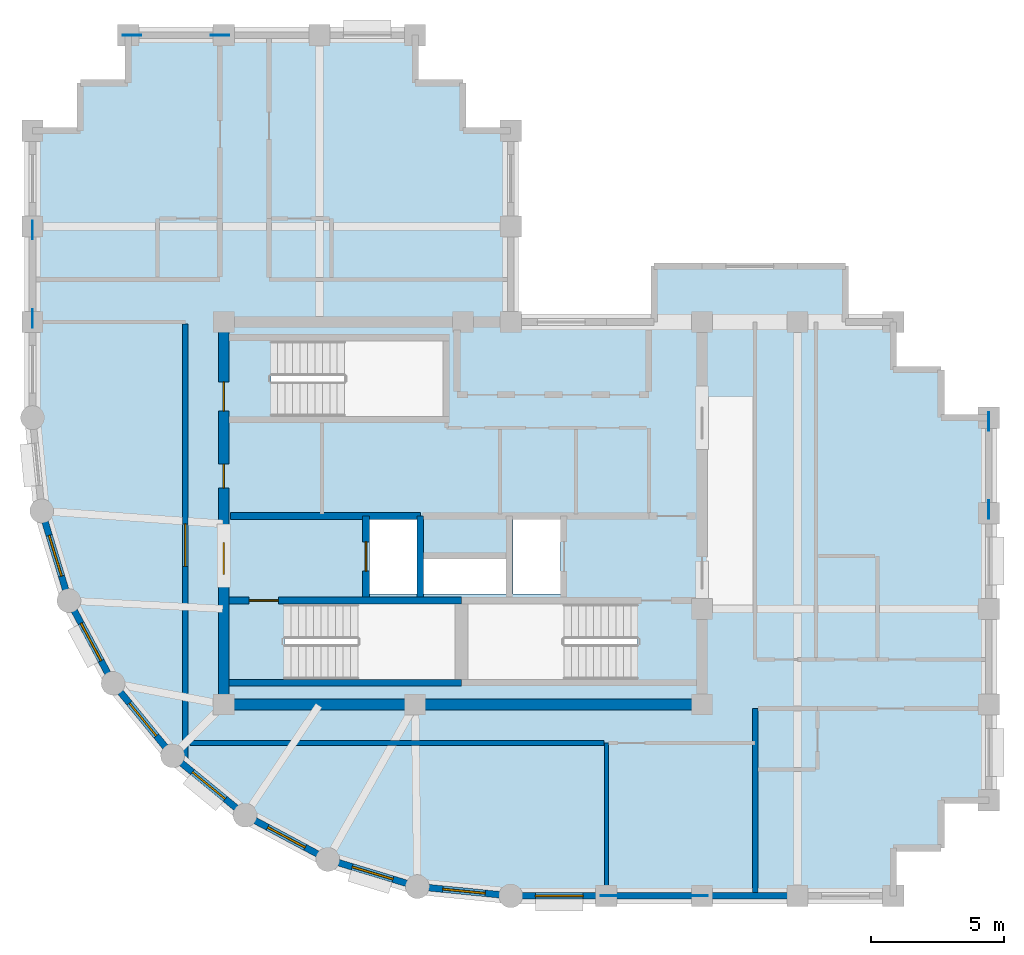
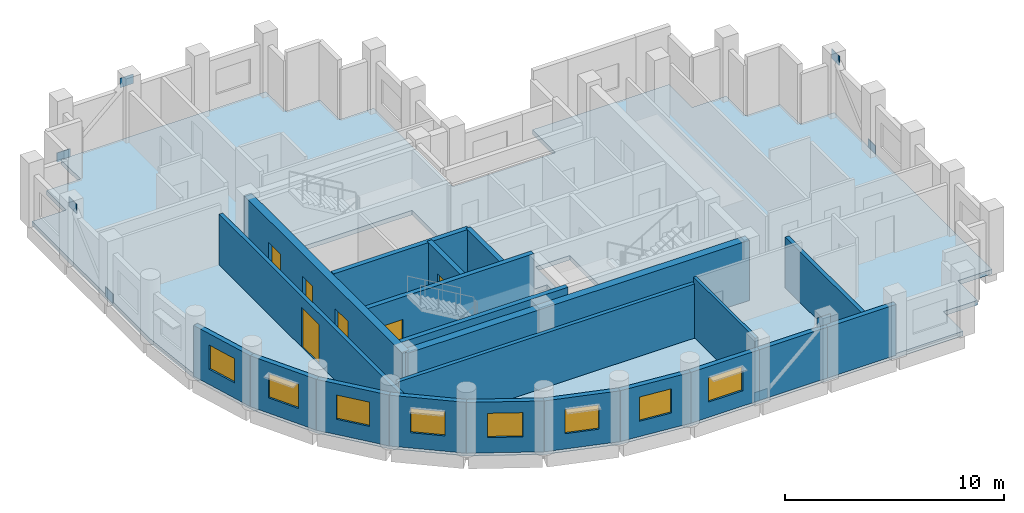
# One storey, part 2 of 7: 21 walls, 8 plates, 8 windows, 6 doors, 1 slab, 14 openings.
"""IFC4 building model written with IfcOpenShell, lengths in metres."""

from ifc_helpers import new_model, si_unit, direction, frame, frame_2d, origin, origin_2d, place, context, subcontext, project, spatial, polyline, rectangle, outline, extrude, material, layer, layer_set, type_object, element, fill, save


model = new_model("IFC4")

# Units and contexts
model_context = context("Model", 3, precision=1e-05, world=origin(), true_north=direction((0.0, 1.0)))
body_context = subcontext(model_context, "Body", "Model", "MODEL_VIEW")
ifc_project = project(units=[si_unit("LENGTHUNIT", "METRE"), si_unit("AREAUNIT", "SQUARE_METRE"), si_unit("VOLUMEUNIT", "CUBIC_METRE"), si_unit("PLANEANGLEUNIT", "RADIAN"), si_unit("MASSUNIT", "GRAM", prefix="KILO")], contexts=[model_context])

# Site, building, storey
site_placement = place(None, origin())
site = spatial("IfcSite", under=ifc_project, at=site_placement, CompositionType="ELEMENT")
building_placement = place(site_placement, origin())
building = spatial("IfcBuilding", under=site, at=building_placement, Name="Solnavia Interchange Tower", CompositionType="ELEMENT")
storey_placement = place(building_placement, frame((0.0, 0.0, 288.199951171875)))
storey = spatial("IfcBuildingStorey", under=building, at=storey_placement, Name="L73", CompositionType="ELEMENT", Elevation=288.199951171875)

# Plates
ifc_material_1 = material(Name="Steel S460", Category="steel")
ifc_layer_1 = layer(ifc_material_1, 0.030029296875)
ifc_layer_set_1 = layer_set([ifc_layer_1], Name="Steel S460")
plate_type = type_object("IfcPlateType", Name="Plate-Gusset-700x520x30", PredefinedType="USERDEFINED", material=ifc_layer_set_1)
for number, where, z_axis, x_axis, name in (
    (1, (28.93994140625, 3.60009765625, -0.080078125), (0.0, 0.0, 1.0), (1.0, 0.0, 0.0), "PLT-L73-GP01 Perimeter brace gusset plate"),
    (2, (32.260009765625, 3.60009765625, 2.91015625), (0.0, 0.0, 1.0), (1.0, 0.0, 0.0), "PLT-L73-GP02 Perimeter brace gusset plate"),
    (3, (7.199951171875, 25.340087890625, -0.080078125), (0.0, 0.0, 1.0), (0.0, 1.0, 0.0), "PLT-L73-GP03 Perimeter brace gusset plate"),
    (4, (7.199951171875, 28.659912109375, 2.91015625), (0.0, 0.0, 1.0), (0.0, 1.0, 0.0), "PLT-L73-GP04 Perimeter brace gusset plate"),
    (5, (43.199951171875, 18.139892578125, -0.080078125), (0.0, 0.0, 1.0), (0.0, 1.0, 0.0), "PLT-L73-GP05 Perimeter brace gusset plate"),
    (6, (43.199951171875, 21.4599609375, 2.91015625), (0.0, 0.0, 1.0), (0.0, 1.0, 0.0), "PLT-L73-GP06 Perimeter brace gusset plate"),
    (7, (10.93994140625, 36.0, -0.080078125), (0.0, 0.0, 1.0), (1.0, 0.0, 0.0), "PLT-L73-GP07 Perimeter brace gusset plate"),
    (8, (14.260009765625, 36.0, 2.91015625), (0.0, 0.0, 1.0), (1.0, 0.0, 0.0), "PLT-L73-GP08 Perimeter brace gusset plate"),
):
    element("IfcPlate", number, at=place(storey_placement, frame(where, z_axis=z_axis, x_axis=x_axis)), inside=storey, type_object=plate_type, Name=name, ObjectType="GUSSET PLATE", PredefinedType="USERDEFINED", context=body_context, shape_type="SweptSolid", body=[
        extrude(rectangle(XDim=0.699951171875, YDim=0.030029296875, at=origin_2d()), origin(), (0.0, 0.0, 1.0), 0.52001953125),
    ])

# Slab
ifc_material_2 = material(Name="Concrete C40/50", Category="concrete")
ifc_layer_2 = layer(ifc_material_2, 0.25)
ifc_layer_set_2 = layer_set([ifc_layer_2], Name="Concrete C40/50")
slab_type = type_object("IfcSlabType", Name="Slab-Tower-250", PredefinedType="FLOOR", material=ifc_layer_set_2)
slab_placement = place(storey_placement, frame((0.0, 0.0, -0.25)))
element("IfcSlab", 9, at=slab_placement, inside=storey, type_object=slab_type, Name="SLB-L73-01 Structural floor slab", PredefinedType="FLOOR", context=body_context, shape_type="SweptSolid", body=[
    extrude(outline(polyline([(25.199951171875, 3.60009765625), (39.60009765625, 3.60009765625), (39.60009765625, 5.39990234375), (41.39990234375, 5.39990234375), (41.39990234375, 7.199951171875), (43.199951171875, 7.199951171875), (43.199951171875, 21.60009765625), (41.39990234375, 21.60009765625), (41.39990234375, 23.39990234375), (39.60009765625, 23.39990234375), (39.60009765625, 25.199951171875), (37.800048828125, 25.199951171875), (37.800048828125, 27.300048828125), (30.60009765625, 27.300048828125), (30.60009765625, 25.199951171875), (25.199951171875, 25.199951171875), (25.199951171875, 32.39990234375), (23.39990234375, 32.39990234375), (23.39990234375, 34.199951171875), (21.60009765625, 34.199951171875), (21.60009765625, 36.0), (10.800048828125, 36.0), (10.800048828125, 34.199951171875), (9.0, 34.199951171875), (9.0, 32.39990234375), (7.199951171875, 32.39990234375), (7.199951171875, 21.60009765625), (7.5458984375, 18.087890625), (8.570068359375, 14.7119140625), (10.23388671875, 11.60009765625), (12.471923828125, 8.8720703125), (15.199951171875, 6.634033203125), (18.31201171875, 4.969970703125), (21.68798828125, 3.946044921875), (25.199951171875, 3.60009765625)]), holes=[polyline([(16.675048828125, 11.75), (23.10009765625, 11.75), (23.10009765625, 14.590087890625), (16.675048828125, 14.590087890625), (16.675048828125, 11.75)]), polyline([(23.60009765625, 11.75), (29.97509765625, 11.75), (29.97509765625, 14.590087890625), (23.60009765625, 14.590087890625), (23.60009765625, 11.75)]), polyline([(16.175048828125, 21.64990234375), (22.64990234375, 21.64990234375), (22.64990234375, 24.489990234375), (16.175048828125, 24.489990234375), (16.175048828125, 21.64990234375)]), polyline([(19.8798828125, 14.9599609375), (21.679931640625, 14.9599609375), (21.679931640625, 17.780029296875), (19.8798828125, 17.780029296875), (19.8798828125, 14.9599609375)]), polyline([(25.280029296875, 14.9599609375), (27.080078125, 14.9599609375), (27.080078125, 17.780029296875), (25.280029296875, 17.780029296875), (25.280029296875, 14.9599609375)]), polyline([(21.919921875, 14.9599609375), (25.02001953125, 14.9599609375), (25.02001953125, 16.280029296875), (21.919921875, 16.280029296875), (21.919921875, 14.9599609375)])]), origin(), (0.0, 0.0, 1.0), 0.25),
])

# Wall, opening, door
ifc_material_3 = material(Name="Gypsum Acoustic Twin-Stud & Mineral Wool", Category="gypsum")
ifc_layer_3 = layer(ifc_material_3, 0.199951171875)
ifc_layer_set_3 = layer_set([ifc_layer_3], Name="Gypsum Acoustic Twin-Stud & Mineral Wool")
wall_type_1 = type_object("IfcWallType", Name="Wall-ApartmentParty-200", PredefinedType="PARTITIONING", material=ifc_layer_set_3)
wall_1_placement = place(storey_placement, frame((12.949951171875, 8.60888671875, 0.0), z_axis=(0.0, 0.0, 1.0), x_axis=(0.0, 1.0, 0.0)))
wall_1 = element("IfcWall", 10, at=wall_1_placement, inside=storey, type_object=wall_type_1, Name="PTW-L73-09 Interior partition wall", PredefinedType="PARTITIONING", context=body_context, shape_type="SweptSolid", body=[
    extrude(rectangle(XDim=16.51220703125, YDim=0.199951171875, at=frame_2d((8.256103515625, 0.0))), origin(), (0.0, 0.0, 1.0), 2.830078125),
])
opening_1_placement = place(wall_1_placement, frame((7.39111328125, 0.0, 0.0)))
opening_1 = element("IfcOpeningElement", 11, at=opening_1_placement, cuts=wall_1, Name="Opening DR-08", PredefinedType="OPENING", context=body_context, shape_type="SweptSolid", body=[
    extrude(rectangle(XDim=1.60009765625, YDim=2.199951171875, at=frame_2d((0.800048828125, 1.10009765625))), frame((0.0, 0.10986328125, 0.0), z_axis=(0.0, -1.0, 0.0), x_axis=(1.0, 0.0, 0.0)), (0.0, 0.0, 1.0), 0.219970703125),
])
ifc_material_4 = material(Name="Thermally Broken Aluminium & Toughened Glass", Category="aluminium")
door_type_1 = type_object("IfcDoorType", Name="Door-RetailDouble-1600x2200", OperationType="DOUBLE_DOOR_SINGLE_SWING", PredefinedType="DOOR", material=ifc_material_4)
door_1_placement = place(opening_1_placement, origin())
door_1 = element("IfcDoor", 12, at=door_1_placement, inside=storey, type_object=door_type_1, Name="DR-L73-03 Interior room door", OperationType="DOUBLE_DOOR_SINGLE_SWING", OverallHeight=2.199951171875, OverallWidth=1.60009765625, PredefinedType="DOOR", context=body_context, shape_type="SweptSolid", body=[
    extrude(rectangle(XDim=1.60009765625, YDim=2.199951171875, at=frame_2d((0.800048828125, 1.10009765625))), frame((0.0, 0.02490234375, 0.0), z_axis=(0.0, -1.0, 0.0), x_axis=(1.0, 0.0, 0.0)), (0.0, 0.0, 1.0), 0.050048828125),
])
fill(opening_1, door_1)

# Walls
wall_2_placement = place(storey_placement, frame((13.1298828125, 9.35009765625, 0.0), z_axis=(0.0, 0.0, 1.0), x_axis=(1.0, 0.0, 0.0)))
element("IfcWall", 13, at=wall_2_placement, inside=storey, type_object=wall_type_1, Name="PTW-L73-10 Interior partition wall", PredefinedType="PARTITIONING", context=body_context, shape_type="SweptSolid", body=[
    extrude(rectangle(XDim=15.591064453125, YDim=0.199951171875, at=frame_2d((7.79541015625, 0.0))), origin(), (0.0, 0.0, 1.0), 3.02001953125),
])
wall_3_placement = place(storey_placement, frame((34.39990234375, 3.72900390625, 0.0), z_axis=(0.0, 0.0, 1.0), x_axis=(0.0, 1.0, 0.0)))
element("IfcWall", 14, at=wall_3_placement, inside=storey, type_object=wall_type_1, Name="PTW-L73-12 Interior partition wall", PredefinedType="PARTITIONING", context=body_context, shape_type="SweptSolid", body=[
    extrude(rectangle(XDim=6.9208984375, YDim=0.199951171875, at=frame_2d((3.46044921875, 0.0))), origin(), (0.0, 0.0, 1.0), 2.830078125),
])

# Wall, opening, window
ifc_layer_4 = layer(ifc_material_2, 0.25)
ifc_layer_set_4 = layer_set([ifc_layer_4], Name="Concrete C40/50")
wall_type_2 = type_object("IfcWallType", Name="Wall-ExtSpandrel-250", PredefinedType="STANDARD", material=ifc_layer_set_4)
wall_4_placement = place(storey_placement, frame((28.800048828125, 3.60009765625, 0.0), z_axis=(0.0, 0.0, 1.0), x_axis=(-1.0, 0.0, 0.0)))
wall_4 = element("IfcWall", 15, at=wall_4_placement, inside=storey, type_object=wall_type_2, Name="EXW-L73-01 Exterior precast spandrel wall", PredefinedType="STANDARD", context=body_context, shape_type="SweptSolid", body=[
    extrude(rectangle(XDim=3.60009765625, YDim=0.25, at=frame_2d((1.800048828125, 0.0))), origin(), (0.0, 0.0, 1.0), 2.830078125),
])
opening_2_placement = place(wall_4_placement, frame((0.875, 0.0, 0.85009765625)))
opening_2 = element("IfcOpeningElement", 16, at=opening_2_placement, cuts=wall_4, Name="Opening WIN-02", PredefinedType="OPENING", context=body_context, shape_type="SweptSolid", body=[
    extrude(rectangle(XDim=1.800048828125, YDim=1.35009765625, at=frame_2d((0.89990234375, 0.675048828125))), frame((0.0, 0.135009765625, 0.0), z_axis=(0.0, -1.0, 0.0), x_axis=(1.0, 0.0, 0.0)), (0.0, 0.0, 1.0), 0.27001953125),
])
ifc_material_5 = material(Name="Thermal-Break Aluminium & Low-E Glass", Category="aluminium")
window_type_1 = type_object("IfcWindowType", Name="Window-Ribbon-1800x1350", PartitioningType="SINGLE_PANEL", PredefinedType="WINDOW", material=ifc_material_5)
window_1_placement = place(opening_2_placement, origin())
window_1 = element("IfcWindow", 17, at=window_1_placement, inside=storey, type_object=window_type_1, Name="WIN-L73-01 Facade ribbon window", OverallHeight=1.35009765625, OverallWidth=1.800048828125, PartitioningType="SINGLE_PANEL", PredefinedType="WINDOW", context=body_context, shape_type="SweptSolid", body=[
    extrude(rectangle(XDim=1.800048828125, YDim=1.35009765625, at=frame_2d((0.89990234375, 0.675048828125))), frame((0.0, 0.030029296875, 0.0), z_axis=(0.0, -1.0, 0.0), x_axis=(1.0, 0.0, 0.0)), (0.0, 0.0, 1.0), 0.06005859375),
])
fill(opening_2, window_1)

# Walls
wall_5_placement = place(storey_placement, frame((32.39990234375, 3.60009765625, 0.0), z_axis=(0.0, 0.0, 1.0), x_axis=(-1.0, 0.0, 0.0)))
element("IfcWall", 18, at=wall_5_placement, inside=storey, type_object=wall_type_2, Name="EXW-L73-02 Exterior precast spandrel wall", PredefinedType="STANDARD", context=body_context, shape_type="SweptSolid", body=[
    extrude(rectangle(XDim=3.599853515625, YDim=0.25, at=frame_2d((1.7998046875, 0.0))), origin(), (0.0, 0.0, 1.0), 2.830078125),
])
wall_6_placement = place(storey_placement, frame((36.0, 3.60009765625, 0.0), z_axis=(0.0, 0.0, 1.0), x_axis=(-1.0, 0.0, 0.0)))
element("IfcWall", 19, at=wall_6_placement, inside=storey, type_object=wall_type_2, Name="EXW-L73-03 Exterior precast spandrel wall", PredefinedType="STANDARD", context=body_context, shape_type="SweptSolid", body=[
    extrude(rectangle(XDim=3.60009765625, YDim=0.25, at=frame_2d((1.800048828125, 0.0))), origin(), (0.0, 0.0, 1.0), 2.830078125),
])

# Wall, opening, window
wall_7_placement = place(storey_placement, frame((8.570068359375, 14.7119140625, 0.0), z_axis=(0.0, 0.0, 1.0), x_axis=(-0.290305086481, 0.956934144423, 0.0)))
wall_7 = element("IfcWall", 20, at=wall_7_placement, inside=storey, type_object=wall_type_2, Name="EXW-L73-42 Exterior precast spandrel wall", PredefinedType="STANDARD", context=body_context, shape_type="SweptSolid", body=[
    extrude(rectangle(XDim=3.52783203125, YDim=0.25, at=frame_2d((1.763916015625, 0.0))), origin(), (0.0, 0.0, 1.0), 2.830078125),
])
opening_3_placement = place(wall_7_placement, frame((0.964111328125, 0.0, 0.85009765625)))
opening_3 = element("IfcOpeningElement", 21, at=opening_3_placement, cuts=wall_7, Name="Opening WIN-04", PredefinedType="OPENING", context=body_context, shape_type="SweptSolid", body=[
    extrude(rectangle(XDim=1.60009765625, YDim=1.35009765625, at=frame_2d((0.800048828125, 0.675048828125))), frame((0.0, 0.135009765625, 0.0), z_axis=(0.0, -1.0, 0.0), x_axis=(1.0, 0.0, 0.0)), (0.0, 0.0, 1.0), 0.27001953125),
])
window_type_2 = type_object("IfcWindowType", Name="Window-Drum-1600x1350", PartitioningType="SINGLE_PANEL", PredefinedType="WINDOW", material=ifc_material_5)
window_2_placement = place(opening_3_placement, origin())
window_2 = element("IfcWindow", 22, at=window_2_placement, inside=storey, type_object=window_type_2, Name="WIN-L73-42 Facade ribbon window", OverallHeight=1.35009765625, OverallWidth=1.60009765625, PartitioningType="SINGLE_PANEL", PredefinedType="WINDOW", context=body_context, shape_type="SweptSolid", body=[
    extrude(rectangle(XDim=1.60009765625, YDim=1.35009765625, at=frame_2d((0.800048828125, 0.675048828125))), frame((0.0, 0.030029296875, 0.0), z_axis=(0.0, -1.0, 0.0), x_axis=(1.0, 0.0, 0.0)), (0.0, 0.0, 1.0), 0.06005859375),
])
fill(opening_3, window_2)

wall_8_placement = place(storey_placement, frame((10.23388671875, 11.60009765625, 0.0), z_axis=(0.0, 0.0, 1.0), x_axis=(-0.47151087309, 0.881860247748, 0.0)))
wall_8 = element("IfcWall", 23, at=wall_8_placement, inside=storey, type_object=wall_type_2, Name="EXW-L73-43 Exterior precast spandrel wall", PredefinedType="STANDARD", context=body_context, shape_type="SweptSolid", body=[
    extrude(rectangle(XDim=3.52880859375, YDim=0.25, at=frame_2d((1.764404296875, 0.0))), origin(), (0.0, 0.0, 1.0), 2.830078125),
])
opening_4_placement = place(wall_8_placement, frame((0.964111328125, 0.0, 0.85009765625)))
opening_4 = element("IfcOpeningElement", 24, at=opening_4_placement, cuts=wall_8, Name="Opening WIN-04", PredefinedType="OPENING", context=body_context, shape_type="SweptSolid", body=[
    extrude(rectangle(XDim=1.60009765625, YDim=1.35009765625, at=frame_2d((0.800048828125, 0.675048828125))), frame((0.0, 0.135009765625, 0.0), z_axis=(0.0, -1.0, 0.0), x_axis=(1.0, 0.0, 0.0)), (0.0, 0.0, 1.0), 0.27001953125),
])
window_3_placement = place(opening_4_placement, origin())
window_3 = element("IfcWindow", 25, at=window_3_placement, inside=storey, type_object=window_type_2, Name="WIN-L73-43 Facade ribbon window", OverallHeight=1.35009765625, OverallWidth=1.60009765625, PartitioningType="SINGLE_PANEL", PredefinedType="WINDOW", context=body_context, shape_type="SweptSolid", body=[
    extrude(rectangle(XDim=1.60009765625, YDim=1.35009765625, at=frame_2d((0.800048828125, 0.675048828125))), frame((0.0, 0.030029296875, 0.0), z_axis=(0.0, -1.0, 0.0), x_axis=(1.0, 0.0, 0.0)), (0.0, 0.0, 1.0), 0.06005859375),
])
fill(opening_4, window_3)

wall_9_placement = place(storey_placement, frame((12.471923828125, 8.8720703125, 0.0), z_axis=(0.0, 0.0, 1.0), x_axis=(-0.634258295121, 0.773121216285, 0.0)))
wall_9 = element("IfcWall", 26, at=wall_9_placement, inside=storey, type_object=wall_type_2, Name="EXW-L73-44 Exterior precast spandrel wall", PredefinedType="STANDARD", context=body_context, shape_type="SweptSolid", body=[
    extrude(rectangle(XDim=3.528564453125, YDim=0.25, at=frame_2d((1.76416015625, 0.0))), origin(), (0.0, 0.0, 1.0), 2.830078125),
])
opening_5_placement = place(wall_9_placement, frame((0.964111328125, 0.0, 0.85009765625)))
opening_5 = element("IfcOpeningElement", 27, at=opening_5_placement, cuts=wall_9, Name="Opening WIN-04", PredefinedType="OPENING", context=body_context, shape_type="SweptSolid", body=[
    extrude(rectangle(XDim=1.60009765625, YDim=1.35009765625, at=frame_2d((0.800048828125, 0.675048828125))), frame((0.0, 0.135009765625, 0.0), z_axis=(0.0, -1.0, 0.0), x_axis=(1.0, 0.0, 0.0)), (0.0, 0.0, 1.0), 0.27001953125),
])
window_4_placement = place(opening_5_placement, origin())
window_4 = element("IfcWindow", 28, at=window_4_placement, inside=storey, type_object=window_type_2, Name="WIN-L73-44 Facade ribbon window", OverallHeight=1.35009765625, OverallWidth=1.60009765625, PartitioningType="SINGLE_PANEL", PredefinedType="WINDOW", context=body_context, shape_type="SweptSolid", body=[
    extrude(rectangle(XDim=1.60009765625, YDim=1.35009765625, at=frame_2d((0.800048828125, 0.675048828125))), frame((0.0, 0.030029296875, 0.0), z_axis=(0.0, -1.0, 0.0), x_axis=(1.0, 0.0, 0.0)), (0.0, 0.0, 1.0), 0.06005859375),
])
fill(opening_5, window_4)

wall_10_placement = place(storey_placement, frame((15.199951171875, 6.634033203125, 0.0), z_axis=(0.0, 0.0, 1.0), x_axis=(-0.773121216285, 0.634258295121, 0.0)))
wall_10 = element("IfcWall", 29, at=wall_10_placement, inside=storey, type_object=wall_type_2, Name="EXW-L73-45 Exterior precast spandrel wall", PredefinedType="STANDARD", context=body_context, shape_type="SweptSolid", body=[
    extrude(rectangle(XDim=3.528564453125, YDim=0.25, at=frame_2d((1.76416015625, 0.0))), origin(), (0.0, 0.0, 1.0), 2.830078125),
])
opening_6_placement = place(wall_10_placement, frame((0.964111328125, 0.0, 0.85009765625)))
opening_6 = element("IfcOpeningElement", 30, at=opening_6_placement, cuts=wall_10, Name="Opening WIN-04", PredefinedType="OPENING", context=body_context, shape_type="SweptSolid", body=[
    extrude(rectangle(XDim=1.60009765625, YDim=1.35009765625, at=frame_2d((0.800048828125, 0.675048828125))), frame((0.0, 0.135009765625, 0.0), z_axis=(0.0, -1.0, 0.0), x_axis=(1.0, 0.0, 0.0)), (0.0, 0.0, 1.0), 0.27001953125),
])
window_5_placement = place(opening_6_placement, origin())
window_5 = element("IfcWindow", 31, at=window_5_placement, inside=storey, type_object=window_type_2, Name="WIN-L73-45 Facade ribbon window", OverallHeight=1.35009765625, OverallWidth=1.60009765625, PartitioningType="SINGLE_PANEL", PredefinedType="WINDOW", context=body_context, shape_type="SweptSolid", body=[
    extrude(rectangle(XDim=1.60009765625, YDim=1.35009765625, at=frame_2d((0.800048828125, 0.675048828125))), frame((0.0, 0.030029296875, 0.0), z_axis=(0.0, -1.0, 0.0), x_axis=(1.0, 0.0, 0.0)), (0.0, 0.0, 1.0), 0.06005859375),
])
fill(opening_6, window_5)

wall_11_placement = place(storey_placement, frame((18.31201171875, 4.969970703125, 0.0), z_axis=(0.0, 0.0, 1.0), x_axis=(-0.881846862014, 0.471535907389, 0.0)))
wall_11 = element("IfcWall", 32, at=wall_11_placement, inside=storey, type_object=wall_type_2, Name="EXW-L73-46 Exterior precast spandrel wall", PredefinedType="STANDARD", context=body_context, shape_type="SweptSolid", body=[
    extrude(rectangle(XDim=3.529052734375, YDim=0.25, at=frame_2d((1.7646484375, 0.0))), origin(), (0.0, 0.0, 1.0), 2.830078125),
])
opening_7_placement = place(wall_11_placement, frame((0.964111328125, 0.0, 0.85009765625)))
opening_7 = element("IfcOpeningElement", 33, at=opening_7_placement, cuts=wall_11, Name="Opening WIN-04", PredefinedType="OPENING", context=body_context, shape_type="SweptSolid", body=[
    extrude(rectangle(XDim=1.60009765625, YDim=1.35009765625, at=frame_2d((0.800048828125, 0.675048828125))), frame((0.0, 0.135009765625, 0.0), z_axis=(0.0, -1.0, 0.0), x_axis=(1.0, 0.0, 0.0)), (0.0, 0.0, 1.0), 0.27001953125),
])
window_6_placement = place(opening_7_placement, origin())
window_6 = element("IfcWindow", 34, at=window_6_placement, inside=storey, type_object=window_type_2, Name="WIN-L73-46 Facade ribbon window", OverallHeight=1.35009765625, OverallWidth=1.60009765625, PartitioningType="SINGLE_PANEL", PredefinedType="WINDOW", context=body_context, shape_type="SweptSolid", body=[
    extrude(rectangle(XDim=1.60009765625, YDim=1.35009765625, at=frame_2d((0.800048828125, 0.675048828125))), frame((0.0, 0.030029296875, 0.0), z_axis=(0.0, -1.0, 0.0), x_axis=(1.0, 0.0, 0.0)), (0.0, 0.0, 1.0), 0.06005859375),
])
fill(opening_7, window_6)

wall_12_placement = place(storey_placement, frame((21.68798828125, 3.946044921875, 0.0), z_axis=(0.0, 0.0, 1.0), x_axis=(-0.956953367403, 0.290241714123, 0.0)))
wall_12 = element("IfcWall", 35, at=wall_12_placement, inside=storey, type_object=wall_type_2, Name="EXW-L73-47 Exterior precast spandrel wall", PredefinedType="STANDARD", context=body_context, shape_type="SweptSolid", body=[
    extrude(rectangle(XDim=3.52783203125, YDim=0.25, at=frame_2d((1.763916015625, 0.0))), origin(), (0.0, 0.0, 1.0), 2.830078125),
])
opening_8_placement = place(wall_12_placement, frame((0.964111328125, 0.0, 0.85009765625)))
opening_8 = element("IfcOpeningElement", 36, at=opening_8_placement, cuts=wall_12, Name="Opening WIN-04", PredefinedType="OPENING", context=body_context, shape_type="SweptSolid", body=[
    extrude(rectangle(XDim=1.60009765625, YDim=1.35009765625, at=frame_2d((0.800048828125, 0.675048828125))), frame((0.0, 0.135009765625, 0.0), z_axis=(0.0, -1.0, 0.0), x_axis=(1.0, 0.0, 0.0)), (0.0, 0.0, 1.0), 0.27001953125),
])
window_7_placement = place(opening_8_placement, origin())
window_7 = element("IfcWindow", 37, at=window_7_placement, inside=storey, type_object=window_type_2, Name="WIN-L73-47 Facade ribbon window", OverallHeight=1.35009765625, OverallWidth=1.60009765625, PartitioningType="SINGLE_PANEL", PredefinedType="WINDOW", context=body_context, shape_type="SweptSolid", body=[
    extrude(rectangle(XDim=1.60009765625, YDim=1.35009765625, at=frame_2d((0.800048828125, 0.675048828125))), frame((0.0, 0.030029296875, 0.0), z_axis=(0.0, -1.0, 0.0), x_axis=(1.0, 0.0, 0.0)), (0.0, 0.0, 1.0), 0.06005859375),
])
fill(opening_8, window_7)

wall_13_placement = place(storey_placement, frame((25.199951171875, 3.60009765625, 0.0), z_axis=(0.0, 0.0, 1.0), x_axis=(-0.995183369056, 0.098030923459, 0.0)))
wall_13 = element("IfcWall", 38, at=wall_13_placement, inside=storey, type_object=wall_type_2, Name="EXW-L73-48 Exterior precast spandrel wall", PredefinedType="STANDARD", context=body_context, shape_type="SweptSolid", body=[
    extrude(rectangle(XDim=3.529052734375, YDim=0.25, at=frame_2d((1.7646484375, 0.0))), origin(), (0.0, 0.0, 1.0), 2.830078125),
])
opening_9_placement = place(wall_13_placement, frame((0.965087890625, 0.0, 0.85009765625)))
opening_9 = element("IfcOpeningElement", 39, at=opening_9_placement, cuts=wall_13, Name="Opening WIN-04", PredefinedType="OPENING", context=body_context, shape_type="SweptSolid", body=[
    extrude(rectangle(XDim=1.60009765625, YDim=1.35009765625, at=frame_2d((0.800048828125, 0.675048828125))), frame((0.0, 0.135009765625, 0.0), z_axis=(0.0, -1.0, 0.0), x_axis=(1.0, 0.0, 0.0)), (0.0, 0.0, 1.0), 0.27001953125),
])
window_8_placement = place(opening_9_placement, origin())
window_8 = element("IfcWindow", 40, at=window_8_placement, inside=storey, type_object=window_type_2, Name="WIN-L73-48 Facade ribbon window", OverallHeight=1.35009765625, OverallWidth=1.60009765625, PartitioningType="SINGLE_PANEL", PredefinedType="WINDOW", context=body_context, shape_type="SweptSolid", body=[
    extrude(rectangle(XDim=1.60009765625, YDim=1.35009765625, at=frame_2d((0.800048828125, 0.675048828125))), frame((0.0, 0.030029296875, 0.0), z_axis=(0.0, -1.0, 0.0), x_axis=(1.0, 0.0, 0.0)), (0.0, 0.0, 1.0), 0.06005859375),
])
fill(opening_9, window_8)

# Walls
ifc_material_6 = material(Name="Gypsum Plasterboard & Steel Stud", Category="steel")
ifc_layer_5 = layer(ifc_material_6, 0.14990234375)
ifc_layer_set_5 = layer_set([ifc_layer_5], Name="Gypsum Plasterboard & Steel Stud")
wall_type_3 = type_object("IfcWallType", Name="Wall-Partition-150", PredefinedType="PARTITIONING", material=ifc_layer_set_5)
wall_14_placement = place(storey_placement, frame((28.800048828125, 9.35009765625, 0.0), z_axis=(0.0, 0.0, 1.0), x_axis=(0.0, -1.0, 0.0)))
element("IfcWall", 41, at=wall_14_placement, inside=storey, type_object=wall_type_3, Name="PTW-L73-08 Interior partition wall", PredefinedType="PARTITIONING", context=body_context, shape_type="SweptSolid", body=[
    extrude(rectangle(XDim=5.62109375, YDim=0.14990234375, at=frame_2d((2.810546875, 0.0))), origin(), (0.0, 0.0, 1.0), 3.3349609375),
])
ifc_layer_6 = layer(ifc_material_2, 0.25)
ifc_layer_set_6 = layer_set([ifc_layer_6], Name="Concrete C40/50")
wall_type_4 = type_object("IfcWallType", Name="Wall-ShaftCore-250", PredefinedType="SHEAR", material=ifc_layer_set_6)
wall_15_placement = place(storey_placement, frame((14.60009765625, 11.625, 0.0), z_axis=(0.0, 0.0, 1.0), x_axis=(1.0, 0.0, 0.0)))
element("IfcWall", 42, at=wall_15_placement, inside=storey, type_object=wall_type_4, Name="SHW-L73-ST1S Core shear wall", PredefinedType="SHEAR", context=body_context, shape_type="SweptSolid", body=[
    extrude(rectangle(XDim=8.75, YDim=0.25, at=frame_2d((4.375, 0.0))), origin(), (0.0, 0.0, 1.0), 3.35009765625),
])

# Wall, opening, door
wall_16_placement = place(storey_placement, frame((14.60009765625, 14.715087890625, 0.0), z_axis=(0.0, 0.0, 1.0), x_axis=(1.0, 0.0, 0.0)))
wall_16 = element("IfcWall", 43, at=wall_16_placement, inside=storey, type_object=wall_type_4, Name="SHW-L73-ST1N Core shear wall", PredefinedType="SHEAR", context=body_context, shape_type="SweptSolid", body=[
    extrude(rectangle(XDim=8.75, YDim=0.25, at=frame_2d((4.375, 0.0))), origin(), (0.0, 0.0, 1.0), 3.35009765625),
])
opening_10_placement = place(wall_16_placement, frame((0.7548828125, 0.0, 0.0)))
opening_10 = element("IfcOpeningElement", 44, at=opening_10_placement, cuts=wall_16, Name="Opening DR-01", PredefinedType="OPENING", context=body_context, shape_type="SweptSolid", body=[
    extrude(rectangle(XDim=1.10009765625, YDim=2.10009765625, at=frame_2d((0.550048828125, 1.050048828125))), frame((0.0, 0.135009765625, 0.0), z_axis=(0.0, -1.0, 0.0), x_axis=(1.0, 0.0, 0.0)), (0.0, 0.0, 1.0), 0.27001953125),
])
ifc_material_7 = material(Name="Steel Fire-Rated Leaf & Frame", Category="steel")
door_type_2 = type_object("IfcDoorType", Name="Door-StairFire-1100x2100", OperationType="SINGLE_SWING_LEFT", PredefinedType="DOOR", material=ifc_material_7)
door_2_placement = place(opening_10_placement, origin())
door_2 = element("IfcDoor", 45, at=door_2_placement, inside=storey, type_object=door_type_2, Name="DR-L73-ST1 Core fire door", OperationType="SINGLE_SWING_LEFT", OverallHeight=2.10009765625, OverallWidth=1.10009765625, PredefinedType="DOOR", context=body_context, shape_type="SweptSolid", body=[
    extrude(rectangle(XDim=1.10009765625, YDim=2.10009765625, at=frame_2d((0.550048828125, 1.050048828125))), frame((0.0, 0.02490234375, 0.0), z_axis=(0.0, -1.0, 0.0), x_axis=(1.0, 0.0, 0.0)), (0.0, 0.0, 1.0), 0.050048828125),
])
fill(opening_10, door_2)

# Wall
ifc_layer_7 = layer(ifc_material_2, 0.25)
ifc_layer_set_7 = layer_set([ifc_layer_7], Name="Concrete C40/50")
wall_type_5 = type_object("IfcWallType", Name="Wall-ShaftPart-250", PredefinedType="PARTITIONING", material=ifc_layer_set_7)
wall_17_placement = place(storey_placement, frame((14.64990234375, 17.89990234375, 0.0), z_axis=(0.0, 0.0, 1.0), x_axis=(1.0, 0.0, 0.0)))
element("IfcWall", 46, at=wall_17_placement, inside=storey, type_object=wall_type_5, Name="SHW-L73-FFLW-N Core shaft wall", PredefinedType="PARTITIONING", context=body_context, shape_type="SweptSolid", body=[
    extrude(rectangle(XDim=7.150146484375, YDim=0.25, at=frame_2d((3.5751953125, 0.0))), origin(), (0.0, 0.0, 1.0), 3.3349609375),
])

# Wall, opening, door
wall_18_placement = place(storey_placement, frame((19.75, 14.840087890625, 0.0), z_axis=(0.0, 0.0, 1.0), x_axis=(0.0, 1.0, 0.0)))
wall_18 = element("IfcWall", 47, at=wall_18_placement, inside=storey, type_object=wall_type_5, Name="SHW-L73-FFL1-W Core shaft wall", PredefinedType="PARTITIONING", context=body_context, shape_type="SweptSolid", body=[
    extrude(rectangle(XDim=3.059814453125, YDim=0.25, at=frame_2d((1.52978515625, 0.0))), origin(), (0.0, 0.0, 1.0), 3.3349609375),
])
opening_11_placement = place(wall_18_placement, frame((0.97998046875, 0.0, 0.0)))
opening_11 = element("IfcOpeningElement", 48, at=opening_11_placement, cuts=wall_18, Name="Opening LD-01", PredefinedType="OPENING", context=body_context, shape_type="SweptSolid", body=[
    extrude(rectangle(XDim=1.10009765625, YDim=2.10009765625, at=frame_2d((0.550048828125, 1.050048828125))), frame((0.0, 0.135009765625, 0.0), z_axis=(0.0, -1.0, 0.0), x_axis=(1.0, 0.0, 0.0)), (0.0, 0.0, 1.0), 0.27001953125),
])
ifc_material_8 = material(Name="Brushed Stainless Steel Sliding Door", Category="steel")
door_type_3 = type_object("IfcDoorType", Name="Door-LiftLanding-1100x2100", OperationType="SLIDING_TO_LEFT", PredefinedType="DOOR", material=ifc_material_8)
door_3_placement = place(opening_11_placement, origin())
door_3 = element("IfcDoor", 49, at=door_3_placement, inside=storey, type_object=door_type_3, Name="LD-L73-FFL1 Lift landing sliding door", OperationType="SLIDING_TO_LEFT", OverallHeight=2.10009765625, OverallWidth=1.10009765625, PredefinedType="DOOR", context=body_context, shape_type="SweptSolid", body=[
    extrude(rectangle(XDim=1.10009765625, YDim=2.10009765625, at=frame_2d((0.550048828125, 1.050048828125))), frame((0.0, 0.02490234375, 0.0), z_axis=(0.0, -1.0, 0.0), x_axis=(1.0, 0.0, 0.0)), (0.0, 0.0, 1.0), 0.050048828125),
])
fill(opening_11, door_3)

# Walls
wall_19_placement = place(storey_placement, frame((21.800048828125, 14.840087890625, 0.0), z_axis=(0.0, 0.0, 1.0), x_axis=(0.0, 1.0, 0.0)))
element("IfcWall", 50, at=wall_19_placement, inside=storey, type_object=wall_type_5, Name="SHW-L73-FFL1-E Core shaft wall", PredefinedType="PARTITIONING", context=body_context, shape_type="SweptSolid", body=[
    extrude(rectangle(XDim=3.059814453125, YDim=0.25, at=frame_2d((1.52978515625, 0.0))), origin(), (0.0, 0.0, 1.0), 3.3349609375),
])
ifc_material_9 = material(Name="Concrete C50/60", Category="concrete")
ifc_layer_8 = layer(ifc_material_9, 0.39990234375)
ifc_layer_set_8 = layer_set([ifc_layer_8], Name="Concrete C50/60")
wall_type_6 = type_object("IfcWallType", Name="Wall-ShearCore-400", PredefinedType="SHEAR", material=ifc_layer_set_8)
wall_20_placement = place(storey_placement, frame((14.39990234375, 10.800048828125, 0.0), z_axis=(0.0, 0.0, 1.0), x_axis=(1.0, 0.0, 0.0)))
element("IfcWall", 51, at=wall_20_placement, inside=storey, type_object=wall_type_6, Name="CRW-L73-S Core shear wall", PredefinedType="SHEAR", context=body_context, shape_type="SweptSolid", body=[
    extrude(rectangle(XDim=18.0, YDim=0.39990234375, at=frame_2d((9.0, 0.0))), origin(), (0.0, 0.0, 1.0), 3.35009765625),
])

# Wall, openings, doors
wall_21_placement = place(storey_placement, frame((14.39990234375, 10.800048828125, 0.0), z_axis=(0.0, 0.0, 1.0), x_axis=(0.0, 1.0, 0.0)))
wall_21 = element("IfcWall", 52, at=wall_21_placement, inside=storey, type_object=wall_type_6, Name="CRW-L73-W Core shear wall", PredefinedType="SHEAR", context=body_context, shape_type="SweptSolid", body=[
    extrude(rectangle(XDim=14.39990234375, YDim=0.39990234375, at=frame_2d((7.199951171875, 0.0))), origin(), (0.0, 0.0, 1.0), 3.35009765625),
])
opening_12_placement = place(wall_21_placement, frame((11.050048828125, 0.0, 0.0)))
opening_12 = element("IfcOpeningElement", 53, at=opening_12_placement, cuts=wall_21, Name="Opening DR-01", PredefinedType="OPENING", context=body_context, shape_type="SweptSolid", body=[
    extrude(rectangle(XDim=1.10009765625, YDim=2.10009765625, at=frame_2d((0.550048828125, 1.050048828125))), frame((0.0, 0.2099609375, 0.0), z_axis=(0.0, -1.0, 0.0), x_axis=(1.0, 0.0, 0.0)), (0.0, 0.0, 1.0), 0.419921875),
])
opening_13_placement = place(wall_21_placement, frame((4.89990234375, 0.0, 0.0)))
opening_13 = element("IfcOpeningElement", 54, at=opening_13_placement, cuts=wall_21, Name="Opening DR-02", PredefinedType="OPENING", context=body_context, shape_type="SweptSolid", body=[
    extrude(rectangle(XDim=1.199951171875, YDim=2.10009765625, at=frame_2d((0.60009765625, 1.050048828125))), frame((0.0, 0.2099609375, 0.0), z_axis=(0.0, -1.0, 0.0), x_axis=(1.0, 0.0, 0.0)), (0.0, 0.0, 1.0), 0.419921875),
])
opening_14_placement = place(wall_21_placement, frame((8.14990234375, 0.0, 0.0)))
opening_14 = element("IfcOpeningElement", 55, at=opening_14_placement, cuts=wall_21, Name="Opening DR-09", PredefinedType="OPENING", context=body_context, shape_type="SweptSolid", body=[
    extrude(rectangle(XDim=0.89990234375, YDim=2.10009765625, at=frame_2d((0.449951171875, 1.050048828125))), frame((0.0, 0.2099609375, 0.0), z_axis=(0.0, -1.0, 0.0), x_axis=(1.0, 0.0, 0.0)), (0.0, 0.0, 1.0), 0.419921875),
])
ifc_material_10 = material(Name="Engineered Oak Veneer Door", Category="wood")
door_type_4 = type_object("IfcDoorType", Name="Door-Internal-900x2100", OperationType="SINGLE_SWING_LEFT", PredefinedType="DOOR", material=ifc_material_10)
door_4_placement = place(opening_14_placement, origin())
door_4 = element("IfcDoor", 56, at=door_4_placement, inside=storey, type_object=door_type_4, Name="DR-L73-CS1 Core fire door", OperationType="SINGLE_SWING_RIGHT", OverallHeight=2.10009765625, OverallWidth=0.89990234375, PredefinedType="DOOR", context=body_context, shape_type="SweptSolid", body=[
    extrude(rectangle(XDim=0.89990234375, YDim=2.10009765625, at=frame_2d((0.449951171875, 1.050048828125))), frame((0.0, 0.02490234375, 0.0), z_axis=(0.0, -1.0, 0.0), x_axis=(1.0, 0.0, 0.0)), (0.0, 0.0, 1.0), 0.050048828125),
])
fill(opening_14, door_4)
ifc_material_11 = material(Name="Steel Fire-Rated Vision-Panel Door", Category="steel")
door_type_5 = type_object("IfcDoorType", Name="Door-LobbyFire-1200x2100", OperationType="SINGLE_SWING_RIGHT", PredefinedType="DOOR", material=ifc_material_11)
door_5_placement = place(opening_13_placement, origin())
door_5 = element("IfcDoor", 57, at=door_5_placement, inside=storey, type_object=door_type_5, Name="DR-L73-FFL1W Core fire door", OperationType="SINGLE_SWING_RIGHT", OverallHeight=2.10009765625, OverallWidth=1.199951171875, PredefinedType="DOOR", context=body_context, shape_type="SweptSolid", body=[
    extrude(rectangle(XDim=1.199951171875, YDim=2.10009765625, at=frame_2d((0.60009765625, 1.050048828125))), frame((0.0, 0.02490234375, 0.0), z_axis=(0.0, -1.0, 0.0), x_axis=(1.0, 0.0, 0.0)), (0.0, 0.0, 1.0), 0.050048828125),
])
fill(opening_13, door_5)
door_6_placement = place(opening_12_placement, origin())
door_6 = element("IfcDoor", 58, at=door_6_placement, inside=storey, type_object=door_type_2, Name="DR-L73-ST3 Core fire door", OperationType="SINGLE_SWING_RIGHT", OverallHeight=2.10009765625, OverallWidth=1.10009765625, PredefinedType="DOOR", context=body_context, shape_type="SweptSolid", body=[
    extrude(rectangle(XDim=1.10009765625, YDim=2.10009765625, at=frame_2d((0.550048828125, 1.050048828125))), frame((0.0, 0.02490234375, 0.0), z_axis=(0.0, -1.0, 0.0), x_axis=(1.0, 0.0, 0.0)), (0.0, 0.0, 1.0), 0.050048828125),
])
fill(opening_12, door_6)

save(model, "model.ifc")
